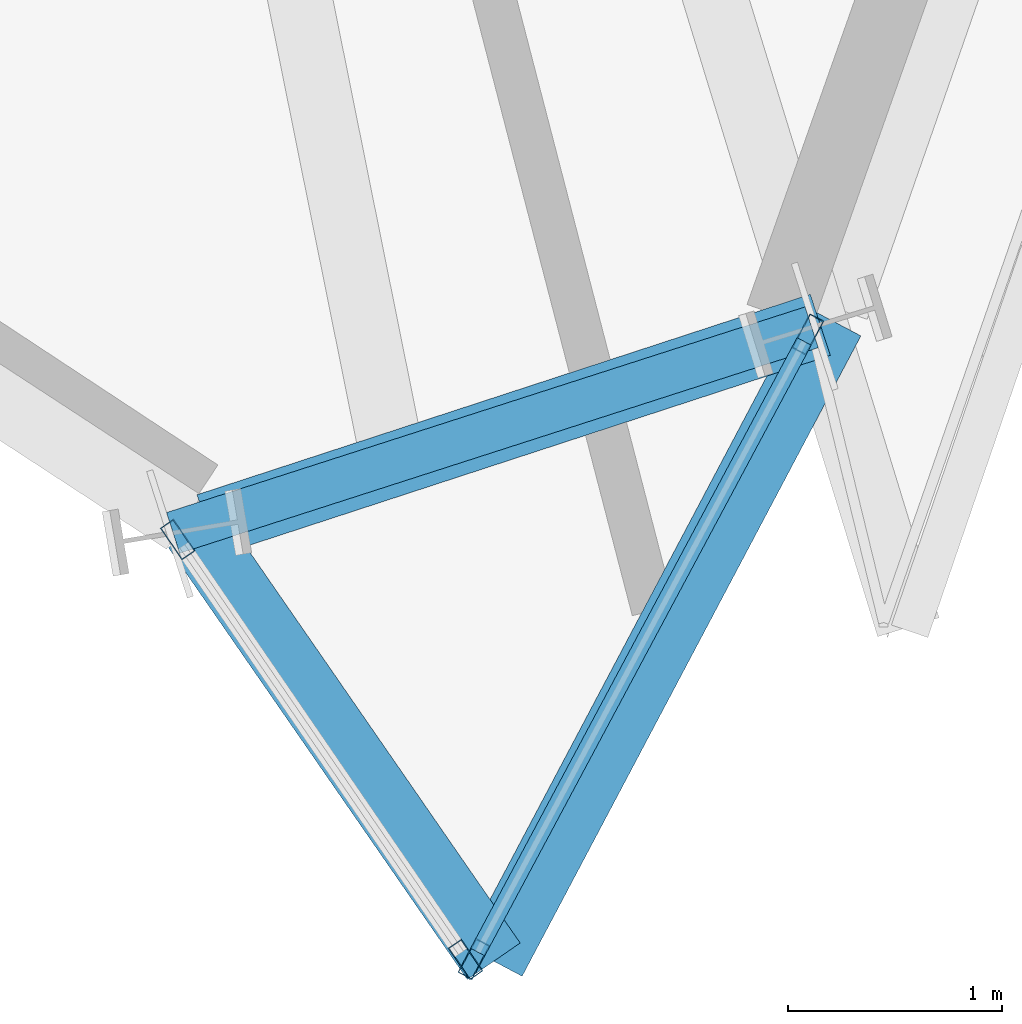
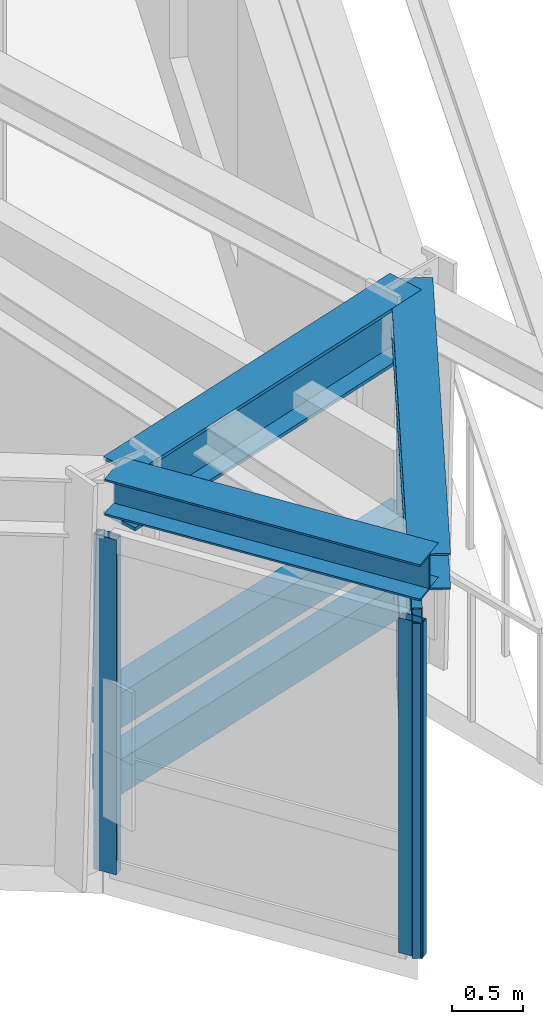
# One storey, part 2 of 13: 9 members, 3 beams, 2 elements without a shape of their own.
"""IFC4 building model written with IfcOpenShell, lengths in metres."""

import ifcopenshell
import ifcopenshell.guid

model = None  # the IFC model being written
_history = None  # IfcOwnerHistory: only IFC2X3 demands one
_inside = {}  # id of a spatial element -> (the spatial element, [elements in it])
_under = {}  # id of a project, library or spatial element -> (it, [spatial elements below it])
_declared = {}  # id of a project -> (the project, [libraries it declares])
_typed = {}  # id of a type object -> (the type object, [elements of that type])
_made_of = {}  # id of a material, layer set ... -> (it, [elements and type objects made of it])


def new_model(schema):
    """Start an empty IFC model of exactly this schema.

    Asked for "IFC4X3", IfcOpenShell would pick the latest addendum, in which some entities
    have other attributes; the version numbers below select the first issue.
    IFC2X3 requires an IfcOwnerHistory on every rooted entity: one is made here for all.
    """
    global model, _history
    if schema == "IFC4X3":
        model = ifcopenshell.file(schema_version=(4, 3, 0, 0))
    else:
        model = ifcopenshell.file(schema=schema)
    _inside.clear()
    _under.clear()
    _declared.clear()
    _typed.clear()
    _made_of.clear()
    _history = None
    if model.schema == "IFC2X3":
        org = make("IfcOrganization", Name="unknown")
        user = make(
            "IfcPersonAndOrganization",
            ThePerson=make("IfcPerson", FamilyName="unknown"),
            TheOrganization=org,
        )
        app = make(
            "IfcApplication",
            ApplicationDeveloper=org,
            Version="unknown",
            ApplicationFullName="unknown",
            ApplicationIdentifier="unknown",
        )
        _history = make(
            "IfcOwnerHistory",
            OwningUser=user,
            OwningApplication=app,
            ChangeAction="ADDED",
            CreationDate=0,
        )
    return model


def make(cls, **values):
    """One entity of the class cls with the attributes given. An attribute that is None is left unset."""
    return model.create_entity(
        cls, **{name: value for name, value in values.items() if value is not None}
    )


def rooted(cls, **values):
    """An entity with a GlobalId (a new one), such as an element, a storey or a relation."""
    return make(cls, GlobalId=ifcopenshell.guid.new(), OwnerHistory=_history, **values)


def si_unit(unit_type, name, prefix=None):
    """IfcSIUnit, for example si_unit("LENGTHUNIT", "METRE", prefix="MILLI")."""
    return make("IfcSIUnit", UnitType=unit_type, Prefix=prefix, Name=name)


def assignment(units):
    """IfcUnitAssignment: the units of a project."""
    return None if units is None else make("IfcUnitAssignment", Units=units)


def point(xyz):
    """IfcCartesianPoint."""
    return None if xyz is None else make("IfcCartesianPoint", Coordinates=xyz)


def direction(xyz):
    """IfcDirection."""
    return None if xyz is None else make("IfcDirection", DirectionRatios=xyz)


def frame(location, z_axis=None, x_axis=None):
    """IfcAxis2Placement3D, a coordinate frame: its origin and axes. An axis left out is left unset."""
    return make(
        "IfcAxis2Placement3D",
        Location=point(location),
        Axis=direction(z_axis),
        RefDirection=direction(x_axis),
    )


def frame_2d(location, x_axis=None):
    """IfcAxis2Placement2D, a coordinate frame in the plane: its origin and x axis."""
    return make(
        "IfcAxis2Placement2D", Location=point(location), RefDirection=direction(x_axis)
    )


def origin():
    """The frame at (0, 0, 0) with its axes left unset."""
    return frame((0.0, 0.0, 0.0))


def origin_2d():
    """The frame at (0, 0) in the plane with its x axis left unset."""
    return frame_2d((0.0, 0.0))


def place(relative_to, where):
    """IfcLocalPlacement: puts the frame where relative to a parent placement (None: the world)."""
    return make(
        "IfcLocalPlacement", PlacementRelTo=relative_to, RelativePlacement=where
    )


def context(
    kind, dimensions, precision=None, world=None, true_north=None, identifier=None
):
    """IfcGeometricRepresentationContext, for example the 3D "Model" context."""
    return make(
        "IfcGeometricRepresentationContext",
        ContextIdentifier=identifier,
        ContextType=kind,
        CoordinateSpaceDimension=dimensions,
        Precision=precision,
        WorldCoordinateSystem=world,
        TrueNorth=true_north,
    )


def subcontext(parent, identifier, kind, view, scale=None):
    """IfcGeometricRepresentationSubContext, for example "Body" below "Model"."""
    return make(
        "IfcGeometricRepresentationSubContext",
        ContextIdentifier=identifier,
        ContextType=kind,
        ParentContext=parent,
        TargetScale=scale,
        TargetView=view,
    )


def project(units=None, contexts=None):
    """IfcProject with its units and contexts."""
    return rooted(
        "IfcProject",
        Name="project",
        RepresentationContexts=contexts,
        UnitsInContext=assignment(units),
    )


def spatial(cls, under=None, at=None, **own):
    """A site, building, storey or space (cls), placed at a placement, below another one or the project."""
    s = rooted(cls, ObjectPlacement=at, **own)
    if under is not None:
        _under.setdefault(under.id(), (under, []))[1].append(s)
    return s


def profile(cls, at=None, kind="AREA", **sizes):
    """A parametric profile (cls). Its sizes go by their IFC names, for example OverallWidth=200.0."""
    return make(cls, ProfileType=kind, Position=at, **sizes)


def hollow_rectangle(**sizes):
    """IfcRectangleHollowProfileDef."""
    return profile("IfcRectangleHollowProfileDef", **sizes)


def i_section(**sizes):
    """IfcIShapeProfileDef."""
    return profile("IfcIShapeProfileDef", **sizes)


def extrude(swept, where, along, depth):
    """IfcExtrudedAreaSolid: the profile swept, set in the frame where, extruded along a direction by depth."""
    return make(
        "IfcExtrudedAreaSolid",
        SweptArea=swept,
        Position=where,
        ExtrudedDirection=direction(along),
        Depth=depth,
    )


def shape(context_of_items, identifier, shape_type, items):
    """IfcShapeRepresentation: the items that make up one representation, for example the "Body"."""
    return make(
        "IfcShapeRepresentation",
        ContextOfItems=context_of_items,
        RepresentationIdentifier=identifier,
        RepresentationType=shape_type,
        Items=items,
    )


def source(mapping_origin, context_of_items, identifier, shape_type, items):
    """IfcRepresentationMap: a shape defined once, which mapped items show again and again."""
    return make(
        "IfcRepresentationMap",
        MappingOrigin=mapping_origin,
        MappedRepresentation=shape(context_of_items, identifier, shape_type, items),
    )


def transform(
    local_origin,
    x_axis=None,
    y_axis=None,
    z_axis=None,
    scale=None,
    scale2=None,
    scale3=None,
    uniform=True,
):
    """IfcCartesianTransformationOperator3D, or its non-uniform kind. x_axis, y_axis, z_axis: its Axis1, 2, 3."""
    if uniform:
        return make(
            "IfcCartesianTransformationOperator3D",
            Axis1=direction(x_axis),
            Axis2=direction(y_axis),
            LocalOrigin=point(local_origin),
            Scale=scale,
            Axis3=direction(z_axis),
        )
    return make(
        "IfcCartesianTransformationOperator3DnonUniform",
        Axis1=direction(x_axis),
        Axis2=direction(y_axis),
        LocalOrigin=point(local_origin),
        Scale=scale,
        Axis3=direction(z_axis),
        Scale2=scale2,
        Scale3=scale3,
    )


def mapped(mapping_source, mapping_target):
    """IfcMappedItem: shows the shape of a source again, moved by a transform."""
    return make(
        "IfcMappedItem", MappingSource=mapping_source, MappingTarget=mapping_target
    )


def material(Name=None, Category=None):
    """IfcMaterial."""
    return make("IfcMaterial", Name=Name, Category=Category)


def material_profile(
    of_material, cross_section, Name=None, Category=None, Priority=None
):
    """IfcMaterialProfile: a cross section and its material."""
    return make(
        "IfcMaterialProfile",
        Name=Name,
        Material=of_material,
        Profile=cross_section,
        Priority=Priority,
        Category=Category,
    )


def profile_set(profiles, Name=None, composite=None):
    """IfcMaterialProfileSet."""
    return make(
        "IfcMaterialProfileSet",
        Name=Name,
        MaterialProfiles=profiles,
        CompositeProfile=composite,
    )


def made_of(thing, what):
    """Note that an element or type object is made of a material, layer set ...; save() writes the relation."""
    if what is not None:
        _made_of.setdefault(what.id(), (what, []))[1].append(thing)
    return thing


def type_object(cls, material=None, **own):
    """A type object (cls), such as IfcWallType, which elements share."""
    return made_of(rooted(cls, **own), material)


def element(
    cls,
    number,
    at=None,
    inside=None,
    cuts=None,
    type_object=None,
    material=None,
    context=None,
    identifier="Body",
    shape_type=None,
    held_by="IfcProductDefinitionShape",
    body=None,
    shapes=None,
    **own,
):
    """One element of the class cls, such as IfcWall. Its Tag is "e" and its number.

    at: its placement. inside: the storey or other place that contains it. cuts: it is an
    opening in that element (IfcRelVoidsElement). A single representation is given by context,
    identifier, shape_type and body (its items); several are given by shapes. held_by: the class
    of the entity that holds the representations. save() writes the other relations.
    """
    e = rooted(cls, Tag="e%d" % number, ObjectPlacement=at, **own)
    if body is not None:
        shapes = [shape(context, identifier, shape_type, body)]
    if shapes is not None:
        e.Representation = make(held_by, Representations=shapes)
    if inside is not None:
        _inside.setdefault(inside.id(), (inside, []))[1].append(e)
    if cuts is not None:
        rooted(
            "IfcRelVoidsElement", RelatingBuildingElement=cuts, RelatedOpeningElement=e
        )
    if type_object is not None:
        _typed.setdefault(type_object.id(), (type_object, []))[1].append(e)
    return made_of(e, material)


def aggregate(whole, parts):
    """IfcRelAggregates: a whole, such as a stair, and the parts it consists of."""
    return rooted("IfcRelAggregates", RelatingObject=whole, RelatedObjects=parts)


def save(model, path):
    """Write the relations noted so far, then the file.

    IfcRelAggregates (storeys below a building ...), IfcRelContainedInSpatialStructure (elements
    in a storey), IfcRelDefinesByType, IfcRelAssociatesMaterial and IfcRelDeclares: one each for
    every whole, place, type object, material and project.
    """
    for whole, parts in _under.values():
        aggregate(whole, parts)
    for where, things in _inside.values():
        rooted(
            "IfcRelContainedInSpatialStructure",
            RelatedElements=things,
            RelatingStructure=where,
        )
    for kind, things in _typed.values():
        rooted("IfcRelDefinesByType", RelatedObjects=things, RelatingType=kind)
    for what, things in _made_of.values():
        rooted("IfcRelAssociatesMaterial", RelatedObjects=things, RelatingMaterial=what)
    for by, libraries in _declared.values():
        rooted("IfcRelDeclares", RelatingContext=by, RelatedDefinitions=libraries)
    model.write(path)


model = new_model("IFC4")

# Units and contexts
model_context = context("Model", 3, precision=1e-05, world=origin(), true_north=direction((0.0, 1.0)))
body_context = subcontext(model_context, "Body", "Model", "MODEL_VIEW")
ifc_project = project(units=[si_unit("LENGTHUNIT", "METRE"), si_unit("AREAUNIT", "SQUARE_METRE"), si_unit("VOLUMEUNIT", "CUBIC_METRE"), si_unit("PLANEANGLEUNIT", "RADIAN"), si_unit("MASSUNIT", "GRAM", prefix="KILO")], contexts=[model_context])

# Site, building, storey
site_placement = place(None, origin())
site = spatial("IfcSite", under=ifc_project, at=site_placement, CompositionType="ELEMENT")
building_placement = place(site_placement, origin())
building = spatial("IfcBuilding", under=site, at=building_placement, Name="Olszyna Solenne Hotel", CompositionType="ELEMENT")
storey_placement = place(building_placement, frame((0.0, 0.0, 248.89990234375)))
storey = spatial("IfcBuildingStorey", under=building, at=storey_placement, Name="L66", CompositionType="ELEMENT", Elevation=248.89990234375)

# Beams
ifc_material_1 = material(Name="Steel S355J2", Category="steel")
ifc_material_profile_1 = material_profile(ifc_material_1, i_section(OverallWidth=0.300048828125, OverallDepth=0.31005859375, WebThickness=0.009033203125, FlangeThickness=0.015380859375, at=origin_2d()), Name="HEA 320", Category="load-bearing")
ifc_profile_set_1 = profile_set([ifc_material_profile_1], Name="Steel S355J2")
beam_type_1 = type_object("IfcBeamType", Name="BM-G3", PredefinedType="BEAM", material=ifc_profile_set_1)
shared_shape_1 = source(origin(), body_context, "Body", "SweptSolid", [
    extrude(i_section(OverallWidth=0.300048828125, OverallDepth=0.31005859375, WebThickness=0.009033203125, FlangeThickness=0.015380859375, at=origin_2d()), origin(), (0.0, 0.0, 1.0), 3.3818359375),
])
beam_1_placement = place(storey_placement, frame((44.952880859375, 4.364990234375, 3.22509765625), z_axis=(-0.467599115473, -0.883940646881, 0.0), x_axis=(0.883940646881, -0.467599115473, 0.0)))
element("IfcBeam", 1, at=beam_1_placement, inside=storey, type_object=beam_type_1, Name="Prism side edge beam BM-G3 B-L66-1963", PredefinedType="BEAM", context=body_context, shape_type="MappedRepresentation", body=[
    mapped(shared_shape_1, transform((0.0, 0.0, 0.0), x_axis=(1.0, 0.0, 0.0), y_axis=(0.0, 1.0, 0.0), z_axis=(0.0, 0.0, 1.0), scale=1.0)),
])
shared_shape_2 = source(origin(), body_context, "Body", "SweptSolid", [
    extrude(i_section(OverallWidth=0.300048828125, OverallDepth=0.31005859375, WebThickness=0.009033203125, FlangeThickness=0.015380859375, at=origin_2d()), origin(), (0.0, 0.0, 1.0), 2.4521484375),
])
beam_2_placement = place(storey_placement, frame((41.976318359375, 3.39208984375, 3.22509765625), z_axis=(0.569023575379, -0.822321208934, 0.0), x_axis=(0.822321208934, 0.569023575379, 0.0)))
element("IfcBeam", 2, at=beam_2_placement, inside=storey, type_object=beam_type_1, Name="Prism side edge beam BM-G3 B-L66-1962", PredefinedType="BEAM", context=body_context, shape_type="MappedRepresentation", body=[
    mapped(shared_shape_2, transform((0.0, 0.0, 0.0), x_axis=(1.0, 0.0, 0.0), y_axis=(0.0, 1.0, 0.0), z_axis=(0.0, 0.0, 1.0), scale=1.0)),
])
ifc_material_profile_2 = material_profile(ifc_material_1, i_section(OverallWidth=0.300048828125, OverallDepth=0.5, WebThickness=0.014404296875, FlangeThickness=0.028076171875, at=origin_2d()), Name="HEB 500", Category="load-bearing")
ifc_profile_set_2 = profile_set([ifc_material_profile_2], Name="Steel S355J2")
beam_type_2 = type_object("IfcBeamType", Name="BM-S3", PredefinedType="BEAM", material=ifc_profile_set_2)
shared_shape_3 = source(origin(), body_context, "Body", "SweptSolid", [
    extrude(i_section(OverallWidth=0.300048828125, OverallDepth=0.5, WebThickness=0.014404296875, FlangeThickness=0.028076171875, at=origin_2d()), origin(), (0.0, 0.0, 1.0), 3.011962890625),
])
beam_3_placement = place(storey_placement, frame((42.033203125, 3.41064453125, 3.130126953125), z_axis=(0.950507295214, 0.310702239686, 0.0), x_axis=(-0.310702239686, 0.950507295214, 0.0)))
element("IfcBeam", 3, at=beam_3_placement, inside=storey, type_object=beam_type_2, Name="Perimeter spandrel beam BM-S3 B-L66-1949", PredefinedType="BEAM", context=body_context, shape_type="MappedRepresentation", body=[
    mapped(shared_shape_3, transform((0.0, 0.0, 0.0), x_axis=(1.0, 0.0, 0.0), y_axis=(0.0, 1.0, 0.0), z_axis=(0.0, 0.0, 1.0), scale=1.0)),
])

# Members
ifc_material_profile_3 = material_profile(ifc_material_1, hollow_rectangle(XDim=0.199951171875, YDim=0.300048828125, WallThickness=0.01611328125, at=origin_2d()), Name="RHS 300x200x16", Category="load-bearing")
ifc_profile_set_3 = profile_set([ifc_material_profile_3], Name="Steel S355J2")
member_type_1 = type_object("IfcMemberType", Name="CH-PR1", PredefinedType="CHORD", material=ifc_profile_set_3)
shared_shape_4 = source(origin(), body_context, "Body", "SweptSolid", [
    extrude(hollow_rectangle(XDim=0.199951171875, YDim=0.300048828125, WallThickness=0.01611328125, at=origin_2d()), origin(), (0.0, 0.0, 1.0), 3.131591796875),
])
for number, where, z_axis, x_axis, name in (
    (4, (41.875, 3.375, 1.35009765625), (0.951854003202, 0.306551719272, 0.0), (-0.306551719272, 0.951854003202, 0.0), "Glass-prism tie chord CH-PR1 M-L66-PR1"),
    (5, (41.875, 3.375, 0.780029296875), (0.951854003202, 0.306551719272, 0.0), (-0.306551719272, 0.951854003202, 0.0), "Glass-prism tie chord CH-PR1 M-L66-PR2"),
):
    element("IfcMember", number, at=place(storey_placement, frame(where, z_axis=z_axis, x_axis=x_axis)), inside=storey, type_object=member_type_1, Name=name, PredefinedType="CHORD", context=body_context, shape_type="MappedRepresentation", body=[
        mapped(shared_shape_4, transform((0.0, 0.0, 0.0), x_axis=(1.0, 0.0, 0.0), y_axis=(0.0, 1.0, 0.0), z_axis=(0.0, 0.0, 1.0), scale=1.0)),
    ])

# Curtain wall, members
ifc_material_2 = material(Name="Anodised bronze aluminium", Category="aluminium")
curtain_wall_type = type_object("IfcCurtainWallType", Name="CW-SYS-5", PredefinedType="NOTDEFINED", material=ifc_material_2)
curtain_wall_1_placement = place(storey_placement, origin())
curtain_wall_1 = element("IfcCurtainWall", 6, at=curtain_wall_1_placement, inside=storey, type_object=curtain_wall_type, Name="Unitised curtain wall CW-SYS-5 CW-L66-01", PredefinedType="NOTDEFINED")
ifc_material_profile_4 = material_profile(ifc_material_2, hollow_rectangle(XDim=0.074951171875, YDim=0.179931640625, WallThickness=0.00439453125, at=origin_2d()), Name="MULL 180x75x4.5", Category="load-bearing")
ifc_profile_set_4 = profile_set([ifc_material_profile_4], Name="Anodised bronze aluminium")
member_type_2 = type_object("IfcMemberType", Name="CW-M2", PredefinedType="MULLION", material=ifc_profile_set_4)
shared_shape_5 = source(origin(), body_context, "Body", "SweptSolid", [
    extrude(hollow_rectangle(XDim=0.074951171875, YDim=0.179931640625, WallThickness=0.00439453125, at=origin_2d()), origin(), (0.0, 0.0, 1.0), 2.8720703125),
])
member_1_placement = place(storey_placement, frame((43.279296875, 1.3857421875, 0.0), z_axis=(0.0, 0.0, 1.0), x_axis=(-0.881893302197, 0.4714490466, 0.0)))
member_1 = element("IfcMember", 7, at=member_1_placement, type_object=member_type_2, Name="Curtain-wall mullion CW-M2 CM-L66-01-01", PredefinedType="MULLION", context=body_context, shape_type="MappedRepresentation", body=[
    mapped(shared_shape_5, transform((0.0, 0.0, 0.0), x_axis=(1.0, 0.0, 0.0), y_axis=(0.0, 1.0, 0.0), z_axis=(0.0, 0.0, 1.0), scale=1.0)),
])
member_2_placement = place(storey_placement, frame((44.838134765625, 4.3017578125, 0.0), z_axis=(0.0, 0.0, 1.0), x_axis=(-0.881893302197, 0.4714490466, 0.0)))
member_2 = element("IfcMember", 8, at=member_2_placement, type_object=member_type_2, Name="Curtain-wall mullion CW-M2 CM-L66-01-02", PredefinedType="MULLION", context=body_context, shape_type="MappedRepresentation", body=[
    mapped(shared_shape_5, transform((0.0, 0.0, 0.0), x_axis=(1.0, 0.0, 0.0), y_axis=(0.0, 1.0, 0.0), z_axis=(0.0, 0.0, 1.0), scale=1.0)),
])

curtain_wall_2_placement = place(storey_placement, origin())
curtain_wall_2 = element("IfcCurtainWall", 9, at=curtain_wall_2_placement, inside=storey, type_object=curtain_wall_type, Name="Unitised curtain wall CW-SYS-5 CW-L66-02", PredefinedType="NOTDEFINED")
member_3_placement = place(storey_placement, frame((41.896240234375, 3.343994140625, 0.0), z_axis=(0.0, 0.0, 1.0), x_axis=(0.824783737802, 0.565448305203, 0.0)))
member_3 = element("IfcMember", 10, at=member_3_placement, type_object=member_type_2, Name="Curtain-wall mullion CW-M2 CM-L66-02-01", PredefinedType="MULLION", context=body_context, shape_type="MappedRepresentation", body=[
    mapped(shared_shape_5, transform((0.0, 0.0, 0.0), x_axis=(1.0, 0.0, 0.0), y_axis=(0.0, 1.0, 0.0), z_axis=(0.0, 0.0, 1.0), scale=1.0)),
])
member_4_placement = place(storey_placement, frame((43.240234375, 1.383544921875, 0.0), z_axis=(0.0, 0.0, 1.0), x_axis=(0.824783737802, 0.565448305203, 0.0)))
member_4 = element("IfcMember", 11, at=member_4_placement, type_object=member_type_2, Name="Curtain-wall mullion CW-M2 CM-L66-02-02", PredefinedType="MULLION", context=body_context, shape_type="MappedRepresentation", body=[
    mapped(shared_shape_5, transform((0.0, 0.0, 0.0), x_axis=(1.0, 0.0, 0.0), y_axis=(0.0, 1.0, 0.0), z_axis=(0.0, 0.0, 1.0), scale=1.0)),
])
aggregate(curtain_wall_2, [member_3, member_4])

# Member
ifc_material_profile_5 = material_profile(ifc_material_2, hollow_rectangle(XDim=0.074951171875, YDim=0.159912109375, WallThickness=0.00390625, at=origin_2d()), Name="TRAN 160x75x4", Category="load-bearing")
ifc_profile_set_5 = profile_set([ifc_material_profile_5], Name="Anodised bronze aluminium")
member_type_3 = type_object("IfcMemberType", Name="CW-T1", PredefinedType="USERDEFINED", material=ifc_profile_set_5)
shared_shape_6 = source(origin(), body_context, "Body", "SweptSolid", [
    extrude(hollow_rectangle(XDim=0.074951171875, YDim=0.159912109375, WallThickness=0.00390625, at=origin_2d()), origin(), (0.0, 0.0, 1.0), 3.23193359375),
])
member_5_placement = place(storey_placement, frame((43.296875, 1.418701171875, 0.03759765625), z_axis=(0.471462365947, 0.881886181713, 0.0), x_axis=(-0.881886181713, 0.471462365947, 0.0)))
member_5 = element("IfcMember", 12, at=member_5_placement, type_object=member_type_3, Name="Curtain-wall transom CW-T1 CT-L66-01-01", ObjectType="TRANSOM", PredefinedType="USERDEFINED", context=body_context, shape_type="MappedRepresentation", body=[
    mapped(shared_shape_6, transform((0.0, 0.0, 0.0), x_axis=(1.0, 0.0, 0.0), y_axis=(0.0, 1.0, 0.0), z_axis=(0.0, 0.0, 1.0), scale=1.0)),
])

member_6_placement = place(storey_placement, frame((43.296875, 1.418701171875, 0.9501953125), z_axis=(0.471462365947, 0.881886181713, 0.0), x_axis=(-0.881886181713, 0.471462365947, 0.0)))
member_6 = element("IfcMember", 13, at=member_6_placement, type_object=member_type_3, Name="Curtain-wall transom CW-T1 CT-L66-01-02", ObjectType="TRANSOM", PredefinedType="USERDEFINED", context=body_context, shape_type="MappedRepresentation", body=[
    mapped(shared_shape_6, transform((0.0, 0.0, 0.0), x_axis=(1.0, 0.0, 0.0), y_axis=(0.0, 1.0, 0.0), z_axis=(0.0, 0.0, 1.0), scale=1.0)),
])

member_7_placement = place(storey_placement, frame((43.296875, 1.418701171875, 2.834716796875), z_axis=(0.471462365947, 0.881886181713, 0.0), x_axis=(-0.881886181713, 0.471462365947, 0.0)))
member_7 = element("IfcMember", 14, at=member_7_placement, type_object=member_type_3, Name="Curtain-wall transom CW-T1 CT-L66-01-03", ObjectType="TRANSOM", PredefinedType="USERDEFINED", context=body_context, shape_type="MappedRepresentation", body=[
    mapped(shared_shape_6, transform((0.0, 0.0, 0.0), x_axis=(1.0, 0.0, 0.0), y_axis=(0.0, 1.0, 0.0), z_axis=(0.0, 0.0, 1.0), scale=1.0)),
])

aggregate(curtain_wall_1, [member_1, member_2, member_5, member_6, member_7])

save(model, "model.ifc")
